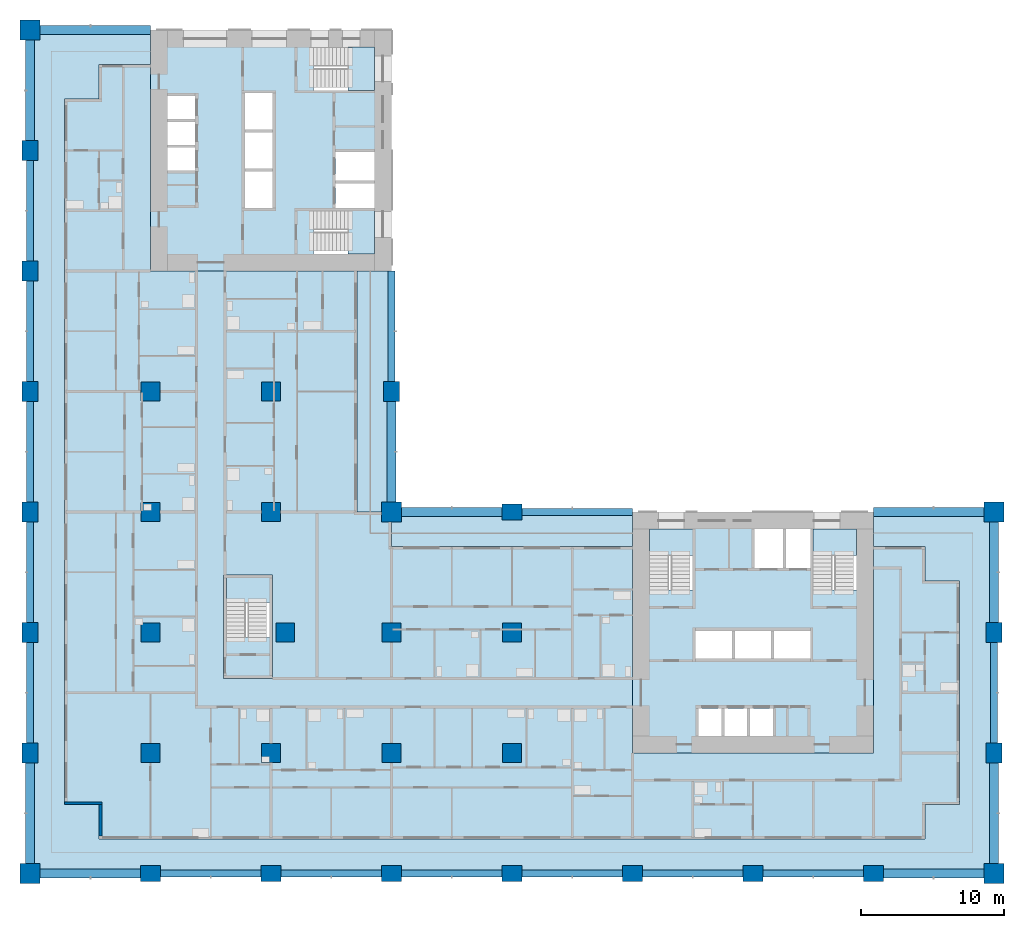
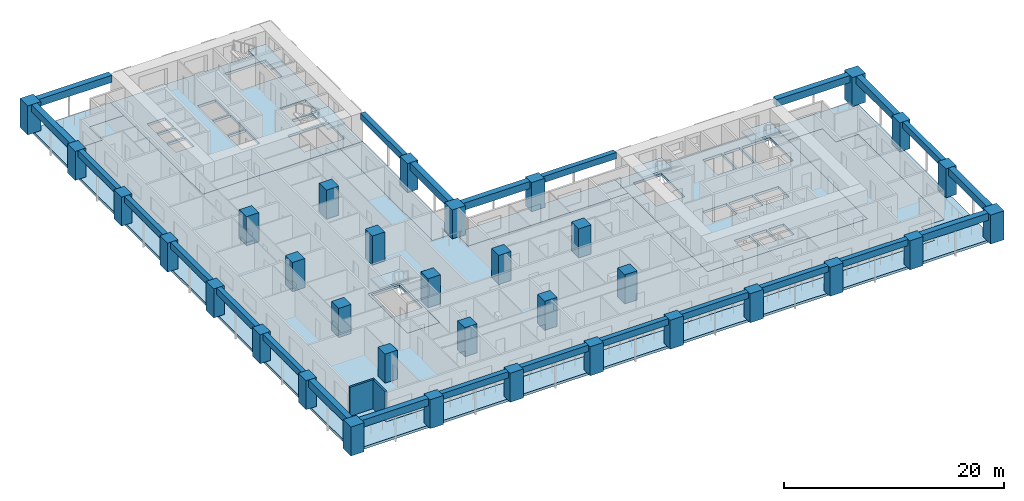
# One storey, part 1 of 19: 34 columns, 24 beams, 12 slabs, 2 walls, 5 elements without a shape of their own.
"""IFC4 building model written with IfcOpenShell, lengths in metres."""

from ifc_helpers import new_model, si_unit, direction, frame, frame_2d, origin, origin_2d, place, context, subcontext, project, spatial, polyline, rectangle, outline, extrude, material, layer, layer_set, material_profile, profile_set, type_object, element, aggregate, save


model = new_model("IFC4")

# Units and contexts
model_context = context("Model", 3, precision=1e-05, world=origin(), true_north=direction((0.0, 1.0)))
body_context = subcontext(model_context, "Body", "Model", "MODEL_VIEW")
ifc_project = project(units=[si_unit("LENGTHUNIT", "METRE"), si_unit("AREAUNIT", "SQUARE_METRE"), si_unit("VOLUMEUNIT", "CUBIC_METRE"), si_unit("PLANEANGLEUNIT", "RADIAN"), si_unit("MASSUNIT", "GRAM", prefix="KILO")], contexts=[model_context])

# Site, building, storey
site_placement = place(None, origin())
site = spatial("IfcSite", under=ifc_project, at=site_placement, CompositionType="ELEMENT")
building_placement = place(site_placement, origin())
building = spatial("IfcBuilding", under=site, at=building_placement, Name="Vermilion Gate Residences", CompositionType="ELEMENT")
storey_placement = place(building_placement, frame((0.0, 0.0, 49.699951171875)))
storey = spatial("IfcBuildingStorey", under=building, at=storey_placement, Name="L11", CompositionType="ELEMENT", Elevation=49.699951171875)

# Columns
ifc_material_1 = material(Name="Concrete C80", Category="concrete")
ifc_material_profile_1 = material_profile(ifc_material_1, rectangle(XDim=1.300048828125, YDim=1.300048828125, at=origin_2d()), Name="RC-1300x1300")
ifc_profile_set_1 = profile_set([ifc_material_profile_1], Name="Concrete C80")
column_type_1 = type_object("IfcColumnType", Name="RC COLUMN 1300 X 1300 C80", PredefinedType="COLUMN", material=ifc_profile_set_1)
for number, where, z_axis, x_axis, name in (
    (1, (8.39990234375, 8.39990234375, 0.0), (0.0, 0.0, 1.0), (1.0, 0.0, 0.0), "Column 2-B L11"),
    (2, (8.39990234375, 16.800048828125, 0.0), (0.0, 0.0, 1.0), (1.0, 0.0, 0.0), "Column 2-C L11"),
    (3, (8.39990234375, 25.199951171875, 0.0), (0.0, 0.0, 1.0), (1.0, 0.0, 0.0), "Column 2-D L11"),
    (4, (8.39990234375, 33.60009765625, 0.0), (0.0, 0.0, 1.0), (1.0, 0.0, 0.0), "Column 2-E L11"),
    (5, (16.800048828125, 8.39990234375, 0.0), (0.0, 0.0, 1.0), (1.0, 0.0, 0.0), "Column 3-B L11"),
    (6, (17.800048828125, 16.800048828125, 0.0), (0.0, 0.0, 1.0), (1.0, 0.0, 0.0), "Column 3-C L11"),
    (7, (16.800048828125, 25.199951171875, 0.0), (0.0, 0.0, 1.0), (1.0, 0.0, 0.0), "Column 3-D L11"),
    (8, (16.800048828125, 33.60009765625, 0.0), (0.0, 0.0, 1.0), (1.0, 0.0, 0.0), "Column 3-E L11"),
    (9, (25.199951171875, 8.39990234375, 0.0), (0.0, 0.0, 1.0), (1.0, 0.0, 0.0), "Column 4-B L11"),
    (10, (25.199951171875, 16.800048828125, 0.0), (0.0, 0.0, 1.0), (1.0, 0.0, 0.0), "Column 4-C L11"),
    (11, (33.60009765625, 8.39990234375, 0.0), (0.0, 0.0, 1.0), (1.0, 0.0, 0.0), "Column 5-B L11"),
    (12, (33.60009765625, 16.800048828125, 0.0), (0.0, 0.0, 1.0), (1.0, 0.0, 0.0), "Column 5-C L11"),
):
    element("IfcColumn", number, at=place(storey_placement, frame(where, z_axis=z_axis, x_axis=x_axis)), inside=storey, type_object=column_type_1, Name=name, PredefinedType="COLUMN", context=body_context, shape_type="SweptSolid", body=[
        extrude(rectangle(XDim=1.300048828125, YDim=1.300048828125, at=origin_2d()), origin(), (0.0, 0.0, 1.0), 3.219970703125),
    ])
ifc_material_2 = material(Name="Concrete C80", Category="concrete")
ifc_material_profile_2 = material_profile(ifc_material_2, rectangle(XDim=1.39990234375, YDim=1.10009765625, at=origin_2d()), Name="RC-1400x1100")
ifc_profile_set_2 = profile_set([ifc_material_profile_2], Name="Concrete C80")
column_type_2 = type_object("IfcColumnType", Name="RC COLUMN 1400 X 1100 C80", PredefinedType="COLUMN", material=ifc_profile_set_2)
for number, where, z_axis, x_axis, name in (
    (13, (0.0, 8.39990234375, 0.0), (0.0, 0.0, 1.0), (0.0, 1.0, 0.0), "Column 1-B L11"),
    (14, (0.0, 16.800048828125, 0.0), (0.0, 0.0, 1.0), (0.0, 1.0, 0.0), "Column 1-C L11"),
    (15, (0.0, 25.199951171875, 0.0), (0.0, 0.0, 1.0), (0.0, 1.0, 0.0), "Column 1-D L11"),
    (16, (0.0, 33.60009765625, 0.0), (0.0, 0.0, 1.0), (0.0, 1.0, 0.0), "Column 1-E L11"),
    (17, (0.0, 42.0, 0.0), (0.0, 0.0, 1.0), (0.0, 1.0, 0.0), "Column 1-F L11"),
    (18, (0.0, 50.39990234375, 0.0), (0.0, 0.0, 1.0), (0.0, 1.0, 0.0), "Column 1-G L11"),
    (19, (8.39990234375, 0.0, 0.0), (0.0, 0.0, 1.0), (1.0, 0.0, 0.0), "Column 2-A L11"),
    (20, (16.800048828125, 0.0, 0.0), (0.0, 0.0, 1.0), (1.0, 0.0, 0.0), "Column 3-A L11"),
    (21, (25.199951171875, 0.0, 0.0), (0.0, 0.0, 1.0), (1.0, 0.0, 0.0), "Column 4-A L11"),
    (22, (25.199951171875, 33.60009765625, 0.0), (0.0, 0.0, 1.0), (0.0, 1.0, 0.0), "Column 4-E L11"),
    (23, (33.60009765625, 0.0, 0.0), (0.0, 0.0, 1.0), (1.0, 0.0, 0.0), "Column 5-A L11"),
    (24, (33.60009765625, 25.199951171875, 0.0), (0.0, 0.0, 1.0), (1.0, 0.0, 0.0), "Column 5-D L11"),
    (25, (42.0, 0.0, 0.0), (0.0, 0.0, 1.0), (1.0, 0.0, 0.0), "Column 6-A L11"),
    (26, (50.39990234375, 0.0, 0.0), (0.0, 0.0, 1.0), (1.0, 0.0, 0.0), "Column 7-A L11"),
    (27, (58.800048828125, 0.0, 0.0), (0.0, 0.0, 1.0), (1.0, 0.0, 0.0), "Column 8-A L11"),
    (28, (67.199951171875, 8.39990234375, 0.0), (0.0, 0.0, 1.0), (0.0, 1.0, 0.0), "Column 9-B L11"),
    (29, (67.199951171875, 16.800048828125, 0.0), (0.0, 0.0, 1.0), (0.0, 1.0, 0.0), "Column 9-C L11"),
):
    element("IfcColumn", number, at=place(storey_placement, frame(where, z_axis=z_axis, x_axis=x_axis)), inside=storey, type_object=column_type_2, Name=name, PredefinedType="COLUMN", context=body_context, shape_type="SweptSolid", body=[
        extrude(rectangle(XDim=1.39990234375, YDim=1.10009765625, at=origin_2d()), origin(), (0.0, 0.0, 1.0), 3.219970703125),
    ])
ifc_material_3 = material(Name="Concrete C80", Category="concrete")
ifc_material_profile_3 = material_profile(ifc_material_3, rectangle(XDim=1.39990234375, YDim=1.39990234375, at=origin_2d()), Name="RC-1400x1400")
ifc_profile_set_3 = profile_set([ifc_material_profile_3], Name="Concrete C80")
column_type_3 = type_object("IfcColumnType", Name="RC COLUMN 1400 X 1400 C80", PredefinedType="COLUMN", material=ifc_profile_set_3)
for number, where, z_axis, x_axis, name in (
    (30, (0.0, 0.0, 0.0), (0.0, 0.0, 1.0), (1.0, 0.0, 0.0), "Column 1-A L11"),
    (31, (0.0, 58.800048828125, 0.0), (0.0, 0.0, 1.0), (1.0, 0.0, 0.0), "Column 1-H L11"),
    (32, (25.199951171875, 25.199951171875, 0.0), (0.0, 0.0, 1.0), (1.0, 0.0, 0.0), "Column 4-D L11"),
    (33, (67.199951171875, 0.0, 0.0), (0.0, 0.0, 1.0), (1.0, 0.0, 0.0), "Column 9-A L11"),
    (34, (67.199951171875, 25.199951171875, 0.0), (0.0, 0.0, 1.0), (1.0, 0.0, 0.0), "Column 9-D L11"),
):
    element("IfcColumn", number, at=place(storey_placement, frame(where, z_axis=z_axis, x_axis=x_axis)), inside=storey, type_object=column_type_3, Name=name, PredefinedType="COLUMN", context=body_context, shape_type="SweptSolid", body=[
        extrude(rectangle(XDim=1.39990234375, YDim=1.39990234375, at=origin_2d()), origin(), (0.0, 0.0, 1.0), 3.219970703125),
    ])

# Beams
ifc_material_4 = material(Name="Concrete C60 red-oxide pigmented", Category="concrete")
ifc_material_profile_4 = material_profile(ifc_material_4, rectangle(XDim=0.60009765625, YDim=0.800048828125, at=origin_2d()), Name="RC-600x800")
ifc_profile_set_4 = profile_set([ifc_material_profile_4], Name="Concrete C60 red-oxide pigmented")
beam_type_1 = type_object("IfcBeamType", Name="RC CORNER EDGE BEAM 600 X 800 C60", PredefinedType="BEAM", material=ifc_profile_set_4)
for number, where, z_axis, x_axis, name in (
    (35, (0.699951171875, 0.0, 2.820068359375), (1.0, 0.0, 0.0), (0.0, 1.0, 0.0), "Corner edge beam L11 1"),
    (36, (0.0, 0.699951171875, 2.820068359375), (0.0, 1.0, 0.0), (-1.0, 0.0, 0.0), "Corner edge beam L11 2"),
):
    element("IfcBeam", number, at=place(storey_placement, frame(where, z_axis=z_axis, x_axis=x_axis)), inside=storey, type_object=beam_type_1, Name=name, PredefinedType="BEAM", context=body_context, shape_type="SweptSolid", body=[
        extrude(rectangle(XDim=0.60009765625, YDim=0.800048828125, at=origin_2d()), origin(), (0.0, 0.0, 1.0), 7.0),
    ])
beam_1_placement = place(storey_placement, frame((0.699951171875, 58.800048828125, 2.820068359375), z_axis=(1.0, 0.0, 0.0), x_axis=(0.0, 1.0, 0.0)))
element("IfcBeam", 37, at=beam_1_placement, inside=storey, type_object=beam_type_1, Name="Corner edge beam L11 8", PredefinedType="BEAM", context=body_context, shape_type="SweptSolid", body=[
    extrude(rectangle(XDim=0.60009765625, YDim=0.800048828125, at=origin_2d()), origin(), (0.0, 0.0, 1.0), 7.699951171875),
])
for number, where, z_axis, x_axis, name in (
    (38, (0.0, 51.10009765625, 2.820068359375), (0.0, 1.0, 0.0), (-1.0, 0.0, 0.0), "Corner edge beam L11 9"),
    (39, (25.199951171875, 25.89990234375, 2.820068359375), (0.0, 1.0, 0.0), (-1.0, 0.0, 0.0), "Corner edge beam L11 12"),
    (40, (25.89990234375, 25.199951171875, 2.820068359375), (1.0, 0.0, 0.0), (0.0, 1.0, 0.0), "Corner edge beam L11 15"),
    (41, (59.5, 0.0, 2.820068359375), (1.0, 0.0, 0.0), (0.0, 1.0, 0.0), "Corner edge beam L11 20"),
    (42, (67.199951171875, 0.699951171875, 2.820068359375), (0.0, 1.0, 0.0), (-1.0, 0.0, 0.0), "Corner edge beam L11 21"),
    (43, (67.199951171875, 17.5, 2.820068359375), (0.0, 1.0, 0.0), (-1.0, 0.0, 0.0), "Corner edge beam L11 23"),
):
    element("IfcBeam", number, at=place(storey_placement, frame(where, z_axis=z_axis, x_axis=x_axis)), inside=storey, type_object=beam_type_1, Name=name, PredefinedType="BEAM", context=body_context, shape_type="SweptSolid", body=[
        extrude(rectangle(XDim=0.60009765625, YDim=0.800048828125, at=origin_2d()), origin(), (0.0, 0.0, 1.0), 7.0),
    ])
beam_2_placement = place(storey_placement, frame((58.800048828125, 25.199951171875, 2.820068359375), z_axis=(1.0, 0.0, 0.0), x_axis=(0.0, 1.0, 0.0)))
element("IfcBeam", 44, at=beam_2_placement, inside=storey, type_object=beam_type_1, Name="Corner edge beam L11 24", PredefinedType="BEAM", context=body_context, shape_type="SweptSolid", body=[
    extrude(rectangle(XDim=0.60009765625, YDim=0.800048828125, at=origin_2d()), origin(), (0.0, 0.0, 1.0), 7.699951171875),
])
ifc_material_5 = material(Name="Concrete C60 red-oxide pigmented", Category="concrete")
ifc_material_profile_5 = material_profile(ifc_material_5, rectangle(XDim=0.5, YDim=0.699951171875, at=origin_2d()), Name="RC-500x700")
ifc_profile_set_5 = profile_set([ifc_material_profile_5], Name="Concrete C60 red-oxide pigmented")
beam_type_2 = type_object("IfcBeamType", Name="RC EDGE BEAM 500 X 700 C60", PredefinedType="BEAM", material=ifc_profile_set_5)
for number, where, z_axis, x_axis, name in (
    (45, (0.0, 9.10009765625, 2.8701171875), (0.0, 1.0, 0.0), (-1.0, 0.0, 0.0), "Edge beam L11 3"),
    (46, (0.0, 17.5, 2.8701171875), (0.0, 1.0, 0.0), (-1.0, 0.0, 0.0), "Edge beam L11 4"),
    (47, (0.0, 25.89990234375, 2.8701171875), (0.0, 1.0, 0.0), (-1.0, 0.0, 0.0), "Edge beam L11 5"),
    (48, (0.0, 34.300048828125, 2.8701171875), (0.0, 1.0, 0.0), (-1.0, 0.0, 0.0), "Edge beam L11 6"),
    (49, (0.0, 42.699951171875, 2.8701171875), (0.0, 1.0, 0.0), (-1.0, 0.0, 0.0), "Edge beam L11 7"),
    (50, (9.10009765625, 0.0, 2.8701171875), (1.0, 0.0, 0.0), (0.0, 1.0, 0.0), "Edge beam L11 10"),
    (51, (17.5, 0.0, 2.8701171875), (1.0, 0.0, 0.0), (0.0, 1.0, 0.0), "Edge beam L11 11"),
):
    element("IfcBeam", number, at=place(storey_placement, frame(where, z_axis=z_axis, x_axis=x_axis)), inside=storey, type_object=beam_type_2, Name=name, PredefinedType="BEAM", context=body_context, shape_type="SweptSolid", body=[
        extrude(rectangle(XDim=0.5, YDim=0.699951171875, at=origin_2d()), origin(), (0.0, 0.0, 1.0), 7.0),
    ])
beam_3_placement = place(storey_placement, frame((25.199951171875, 34.300048828125, 2.8701171875), z_axis=(0.0, 1.0, 0.0), x_axis=(-1.0, 0.0, 0.0)))
element("IfcBeam", 52, at=beam_3_placement, inside=storey, type_object=beam_type_2, Name="Edge beam L11 13", PredefinedType="BEAM", context=body_context, shape_type="SweptSolid", body=[
    extrude(rectangle(XDim=0.5, YDim=0.699951171875, at=origin_2d()), origin(), (0.0, 0.0, 1.0), 7.699951171875),
])
for number, where, z_axis, x_axis, name in (
    (53, (25.89990234375, 0.0, 2.8701171875), (1.0, 0.0, 0.0), (0.0, 1.0, 0.0), "Edge beam L11 14"),
    (54, (34.300048828125, 0.0, 2.8701171875), (1.0, 0.0, 0.0), (0.0, 1.0, 0.0), "Edge beam L11 16"),
):
    element("IfcBeam", number, at=place(storey_placement, frame(where, z_axis=z_axis, x_axis=x_axis)), inside=storey, type_object=beam_type_2, Name=name, PredefinedType="BEAM", context=body_context, shape_type="SweptSolid", body=[
        extrude(rectangle(XDim=0.5, YDim=0.699951171875, at=origin_2d()), origin(), (0.0, 0.0, 1.0), 7.0),
    ])
beam_4_placement = place(storey_placement, frame((34.300048828125, 25.199951171875, 2.8701171875), z_axis=(1.0, 0.0, 0.0), x_axis=(0.0, 1.0, 0.0)))
element("IfcBeam", 55, at=beam_4_placement, inside=storey, type_object=beam_type_2, Name="Edge beam L11 17", PredefinedType="BEAM", context=body_context, shape_type="SweptSolid", body=[
    extrude(rectangle(XDim=0.5, YDim=0.699951171875, at=origin_2d()), origin(), (0.0, 0.0, 1.0), 7.699951171875),
])
for number, where, z_axis, x_axis, name in (
    (56, (42.699951171875, 0.0, 2.8701171875), (1.0, 0.0, 0.0), (0.0, 1.0, 0.0), "Edge beam L11 18"),
    (57, (51.10009765625, 0.0, 2.8701171875), (1.0, 0.0, 0.0), (0.0, 1.0, 0.0), "Edge beam L11 19"),
    (58, (67.199951171875, 9.10009765625, 2.8701171875), (0.0, 1.0, 0.0), (-1.0, 0.0, 0.0), "Edge beam L11 22"),
):
    element("IfcBeam", number, at=place(storey_placement, frame(where, z_axis=z_axis, x_axis=x_axis)), inside=storey, type_object=beam_type_2, Name=name, PredefinedType="BEAM", context=body_context, shape_type="SweptSolid", body=[
        extrude(rectangle(XDim=0.5, YDim=0.699951171875, at=origin_2d()), origin(), (0.0, 0.0, 1.0), 7.0),
    ])

# Slabs
ifc_material_6 = material(Name="Concrete C50", Category="concrete")
ifc_layer_1 = layer(ifc_material_6, 0.280029296875)
ifc_layer_set_1 = layer_set([ifc_layer_1], Name="RC CORE FLOOR SLAB 280 C50")
slab_type_1 = type_object("IfcSlabType", Name="RC CORE FLOOR SLAB 280 C50", PredefinedType="FLOOR", material=ifc_layer_set_1)
slab_1_placement = place(storey_placement, frame((0.0, 0.0, -0.280029296875)))
element("IfcSlab", 59, at=slab_1_placement, inside=storey, type_object=slab_type_1, Name="Core floor slab A11", PredefinedType="FLOOR", context=body_context, shape_type="SweptSolid", body=[
    extrude(outline(polyline([(42.0, 8.39990234375), (58.800048828125, 8.39990234375), (58.800048828125, 25.199951171875), (42.0, 25.199951171875), (42.0, 8.39990234375)]), holes=[polyline([(46.60009765625, 11.5), (48.199951171875, 11.5), (48.199951171875, 9.60009765625), (46.60009765625, 9.60009765625), (46.60009765625, 11.5)]), polyline([(48.39990234375, 11.5), (50.0, 11.5), (50.0, 9.60009765625), (48.39990234375, 9.60009765625), (48.39990234375, 11.5)]), polyline([(50.199951171875, 11.5), (51.800048828125, 11.5), (51.800048828125, 9.60009765625), (50.199951171875, 9.60009765625), (50.199951171875, 11.5)]), polyline([(48.933349609375, 16.89990234375), (48.933349609375, 15.0), (46.39990234375, 15.0), (46.39990234375, 16.89990234375), (48.933349609375, 16.89990234375)]), polyline([(51.666748046875, 16.89990234375), (51.666748046875, 15.0), (49.13330078125, 15.0), (49.13330078125, 16.89990234375), (51.666748046875, 16.89990234375)]), polyline([(51.86669921875, 16.89990234375), (54.39990234375, 16.89990234375), (54.39990234375, 15.0), (51.86669921875, 15.0), (51.86669921875, 16.89990234375)]), polyline([(43.199951171875, 24.0), (46.199951171875, 24.0), (46.199951171875, 19.75), (43.199951171875, 19.75), (43.199951171875, 24.0)]), polyline([(54.60009765625, 24.0), (57.60009765625, 24.0), (57.60009765625, 19.75), (54.60009765625, 19.75), (54.60009765625, 24.0)]), polyline([(52.5, 24.0), (52.5, 21.300048828125), (50.5, 21.300048828125), (50.5, 24.0), (52.5, 24.0)]), polyline([(54.39990234375, 24.0), (54.39990234375, 21.300048828125), (52.699951171875, 21.300048828125), (52.699951171875, 24.0), (54.39990234375, 24.0)])]), origin(), (0.0, 0.0, 1.0), 0.280029296875),
])
slab_2_placement = place(storey_placement, frame((0.0, 0.0, -0.280029296875)))
element("IfcSlab", 60, at=slab_2_placement, inside=storey, type_object=slab_type_1, Name="Core floor slab B11", PredefinedType="FLOOR", context=body_context, shape_type="SweptSolid", body=[
    extrude(outline(polyline([(8.39990234375, 42.0), (25.199951171875, 42.0), (25.199951171875, 58.800048828125), (8.39990234375, 58.800048828125), (8.39990234375, 42.0)]), holes=[polyline([(19.75, 46.199951171875), (24.0, 46.199951171875), (24.0, 43.199951171875), (19.75, 43.199951171875), (19.75, 46.199951171875)]), polyline([(21.300048828125, 48.10009765625), (24.0, 48.10009765625), (24.0, 46.39990234375), (21.300048828125, 46.39990234375), (21.300048828125, 48.10009765625)]), polyline([(15.0, 48.933349609375), (16.89990234375, 48.933349609375), (16.89990234375, 46.39990234375), (15.0, 46.39990234375), (15.0, 48.933349609375)]), polyline([(24.0, 50.300048828125), (24.0, 48.300048828125), (21.300048828125, 48.300048828125), (21.300048828125, 50.300048828125), (24.0, 50.300048828125)]), polyline([(11.5, 50.60009765625), (11.5, 49.0), (9.60009765625, 49.0), (9.60009765625, 50.60009765625), (11.5, 50.60009765625)]), polyline([(15.0, 51.666748046875), (16.89990234375, 51.666748046875), (16.89990234375, 49.13330078125), (15.0, 49.13330078125), (15.0, 51.666748046875)]), polyline([(9.60009765625, 52.39990234375), (11.5, 52.39990234375), (11.5, 50.800048828125), (9.60009765625, 50.800048828125), (9.60009765625, 52.39990234375)]), polyline([(15.0, 54.39990234375), (16.89990234375, 54.39990234375), (16.89990234375, 51.86669921875), (15.0, 51.86669921875), (15.0, 54.39990234375)]), polyline([(11.5, 54.199951171875), (11.5, 52.60009765625), (9.60009765625, 52.60009765625), (9.60009765625, 54.199951171875), (11.5, 54.199951171875)]), polyline([(24.0, 57.60009765625), (24.0, 54.60009765625), (19.75, 54.60009765625), (19.75, 57.60009765625), (24.0, 57.60009765625)])]), origin(), (0.0, 0.0, 1.0), 0.280029296875),
])
slab_3_placement = place(storey_placement, frame((0.0, 0.0, -0.280029296875)))
element("IfcSlab", 61, at=slab_3_placement, inside=storey, type_object=slab_type_1, Name="Apex stair floor slab 11", PredefinedType="FLOOR", context=body_context, shape_type="SweptSolid", body=[
    extrude(outline(polyline([(13.5, 13.60009765625), (16.89990234375, 13.60009765625), (16.89990234375, 20.800048828125), (13.5, 20.800048828125), (13.5, 13.60009765625)]), holes=[polyline([(16.699951171875, 20.60009765625), (16.699951171875, 16.449951171875), (13.699951171875, 16.449951171875), (13.699951171875, 20.60009765625), (16.699951171875, 20.60009765625)])]), origin(), (0.0, 0.0, 1.0), 0.280029296875),
])
ifc_material_7 = material(Name="Concrete C50", Category="concrete")
ifc_layer_2 = layer(ifc_material_7, 0.280029296875)
ifc_layer_set_2 = layer_set([ifc_layer_2], Name="RC FLAT PLATE 280 C50")
slab_type_2 = type_object("IfcSlabType", Name="RC FLAT PLATE 280 C50", PredefinedType="FLOOR", material=ifc_layer_set_2)
slab_4_placement = place(storey_placement, frame((0.0, 0.0, -0.280029296875)))
element("IfcSlab", 62, at=slab_4_placement, inside=storey, type_object=slab_type_2, Name="Floor slab L11", PredefinedType="FLOOR", context=body_context, shape_type="SweptSolid", body=[
    extrude(outline(polyline([(22.800048828125, 25.199951171875), (22.800048828125, 42.0), (8.39990234375, 42.0), (8.39990234375, 56.39990234375), (4.800048828125, 56.39990234375), (4.800048828125, 54.0), (2.39990234375, 54.0), (2.39990234375, 4.800048828125), (4.800048828125, 4.800048828125), (4.800048828125, 2.39990234375), (62.39990234375, 2.39990234375), (62.39990234375, 4.800048828125), (64.800048828125, 4.800048828125), (64.800048828125, 20.39990234375), (62.39990234375, 20.39990234375), (62.39990234375, 22.800048828125), (58.800048828125, 22.800048828125), (58.800048828125, 8.39990234375), (42.0, 8.39990234375), (42.0, 22.800048828125), (25.199951171875, 22.800048828125), (25.199951171875, 25.199951171875), (22.800048828125, 25.199951171875)]), holes=[polyline([(13.5, 13.60009765625), (13.5, 20.800048828125), (16.89990234375, 20.800048828125), (16.89990234375, 13.60009765625), (13.5, 13.60009765625)])]), origin(), (0.0, 0.0, 1.0), 0.280029296875),
])
ifc_material_8 = material(Name="Concrete C50 red-oxide pigmented", Category="concrete")
ifc_layer_3 = layer(ifc_material_8, 0.280029296875)
ifc_layer_set_3 = layer_set([ifc_layer_3], Name="RC LOGGIA SLAB 280 C50")
slab_type_3 = type_object("IfcSlabType", Name="RC LOGGIA SLAB 280 C50", PredefinedType="FLOOR", material=ifc_layer_set_3)
slab_5_placement = place(storey_placement, frame((0.0, 0.0, -0.280029296875)))
element("IfcSlab", 63, at=slab_5_placement, inside=storey, type_object=slab_type_3, Name="Loggia slab L11", PredefinedType="FLOOR", context=body_context, shape_type="SweptSolid", body=[
    extrude(outline(polyline([(0.0, 58.800048828125), (0.0, 0.0), (67.199951171875, 0.0), (67.199951171875, 25.199951171875), (58.800048828125, 25.199951171875), (58.800048828125, 22.800048828125), (62.39990234375, 22.800048828125), (62.39990234375, 20.39990234375), (64.800048828125, 20.39990234375), (64.800048828125, 4.800048828125), (62.39990234375, 4.800048828125), (62.39990234375, 2.39990234375), (4.800048828125, 2.39990234375), (4.800048828125, 4.800048828125), (2.39990234375, 4.800048828125), (2.39990234375, 54.0), (4.800048828125, 54.0), (4.800048828125, 56.39990234375), (8.39990234375, 56.39990234375), (8.39990234375, 58.800048828125), (0.0, 58.800048828125)])), origin(), (0.0, 0.0, 1.0), 0.280029296875),
])
slab_6_placement = place(storey_placement, frame((0.0, 0.0, -0.280029296875)))
element("IfcSlab", 64, at=slab_6_placement, inside=storey, type_object=slab_type_3, Name="Loggia slab L11", PredefinedType="FLOOR", context=body_context, shape_type="SweptSolid", body=[
    extrude(outline(polyline([(25.199951171875, 22.800048828125), (42.0, 22.800048828125), (42.0, 25.199951171875), (25.199951171875, 25.199951171875), (25.199951171875, 22.800048828125)])), origin(), (0.0, 0.0, 1.0), 0.280029296875),
])
slab_7_placement = place(storey_placement, frame((0.0, 0.0, -0.280029296875)))
element("IfcSlab", 65, at=slab_7_placement, inside=storey, type_object=slab_type_3, Name="Loggia slab L11", PredefinedType="FLOOR", context=body_context, shape_type="SweptSolid", body=[
    extrude(outline(polyline([(22.800048828125, 42.0), (22.800048828125, 25.199951171875), (25.199951171875, 25.199951171875), (25.199951171875, 42.0), (22.800048828125, 42.0)])), origin(), (0.0, 0.0, 1.0), 0.280029296875),
])

# Stair, slab
ifc_material_9 = material(Name="Concrete C50", Category="concrete")
stair_type = type_object("IfcStairType", Name="SPECIAL ESCAPE STAIR 1300", PredefinedType="HALF_TURN_STAIR", material=ifc_material_9)
stair_1_placement = place(storey_placement, origin())
stair_1 = element("IfcStair", 66, at=stair_1_placement, inside=storey, type_object=stair_type, Name="Special escape stair STA1-11", PredefinedType="HALF_TURN_STAIR")
ifc_material_10 = material(Name="Concrete C50", Category="concrete")
ifc_layer_4 = layer(ifc_material_10, 0.199951171875)
ifc_layer_set_4 = layer_set([ifc_layer_4], Name="STAIR LANDING 200 C50")
slab_type_4 = type_object("IfcSlabType", Name="STAIR LANDING 200 C50", PredefinedType="LANDING", material=ifc_layer_set_4)
slab_8_placement = place(storey_placement, frame((0.0, 0.0, 1.550048828125)))
slab_8 = element("IfcSlab", 67, at=slab_8_placement, type_object=slab_type_4, Name="STA1-11 landing 1", PredefinedType="LANDING", context=body_context, shape_type="SweptSolid", body=[
    extrude(outline(polyline([(46.219970703125, 22.179931640625), (46.219970703125, 24.02001953125), (43.179931640625, 24.02001953125), (43.179931640625, 22.179931640625), (46.219970703125, 22.179931640625)])), origin(), (0.0, 0.0, 1.0), 0.199951171875),
])
aggregate(stair_1, [slab_8])

stair_2_placement = place(storey_placement, origin())
stair_2 = element("IfcStair", 68, at=stair_2_placement, inside=storey, type_object=stair_type, Name="Special escape stair STA2-11", PredefinedType="HALF_TURN_STAIR")
slab_9_placement = place(storey_placement, frame((0.0, 0.0, 1.550048828125)))
slab_9 = element("IfcSlab", 69, at=slab_9_placement, type_object=slab_type_4, Name="STA2-11 landing 1", PredefinedType="LANDING", context=body_context, shape_type="SweptSolid", body=[
    extrude(outline(polyline([(57.6201171875, 22.179931640625), (57.6201171875, 24.02001953125), (54.580078125, 24.02001953125), (54.580078125, 22.179931640625), (57.6201171875, 22.179931640625)])), origin(), (0.0, 0.0, 1.0), 0.199951171875),
])
aggregate(stair_2, [slab_9])

stair_3_placement = place(storey_placement, origin())
stair_3 = element("IfcStair", 70, at=stair_3_placement, inside=storey, type_object=stair_type, Name="Special escape stair STB1-11", PredefinedType="HALF_TURN_STAIR")
slab_10_placement = place(storey_placement, frame((0.0, 0.0, 1.550048828125)))
slab_10 = element("IfcSlab", 71, at=slab_10_placement, type_object=slab_type_4, Name="STB1-11 landing 1", PredefinedType="LANDING", context=body_context, shape_type="SweptSolid", body=[
    extrude(outline(polyline([(24.02001953125, 54.580078125), (24.02001953125, 57.6201171875), (22.179931640625, 57.6201171875), (22.179931640625, 54.580078125), (24.02001953125, 54.580078125)])), origin(), (0.0, 0.0, 1.0), 0.199951171875),
])
aggregate(stair_3, [slab_10])

stair_4_placement = place(storey_placement, origin())
stair_4 = element("IfcStair", 72, at=stair_4_placement, inside=storey, type_object=stair_type, Name="Special escape stair STB2-11", PredefinedType="HALF_TURN_STAIR")
slab_11_placement = place(storey_placement, frame((0.0, 0.0, 1.550048828125)))
slab_11 = element("IfcSlab", 73, at=slab_11_placement, type_object=slab_type_4, Name="STB2-11 landing 1", PredefinedType="LANDING", context=body_context, shape_type="SweptSolid", body=[
    extrude(outline(polyline([(24.02001953125, 43.179931640625), (24.02001953125, 46.219970703125), (22.179931640625, 46.219970703125), (22.179931640625, 43.179931640625), (24.02001953125, 43.179931640625)])), origin(), (0.0, 0.0, 1.0), 0.199951171875),
])
aggregate(stair_4, [slab_11])

stair_5_placement = place(storey_placement, origin())
stair_5 = element("IfcStair", 74, at=stair_5_placement, inside=storey, type_object=stair_type, Name="Special escape stair STC1-11", PredefinedType="HALF_TURN_STAIR")
slab_12_placement = place(storey_placement, frame((0.0, 0.0, 1.550048828125)))
slab_12 = element("IfcSlab", 75, at=slab_12_placement, type_object=slab_type_4, Name="STC1-11 landing 1", PredefinedType="LANDING", context=body_context, shape_type="SweptSolid", body=[
    extrude(outline(polyline([(16.719970703125, 18.8798828125), (16.719970703125, 20.6201171875), (13.679931640625, 20.6201171875), (13.679931640625, 18.8798828125), (16.719970703125, 18.8798828125)])), origin(), (0.0, 0.0, 1.0), 0.199951171875),
])
aggregate(stair_5, [slab_12])

# Walls
ifc_material_11 = material(Name="Insulated steel stud wall with terracotta rainscreen", Category="masonry")
ifc_layer_5 = layer(ifc_material_11, 0.199951171875)
ifc_layer_set_5 = layer_set([ifc_layer_5], Name="EXTERNAL WALL 200 TERRACOTTA RAINSCREEN")
wall_type = type_object("IfcWallType", Name="EXTERNAL WALL 200 TERRACOTTA RAINSCREEN", PredefinedType="SOLIDWALL", material=ifc_layer_set_5)
wall_1_placement = place(storey_placement, frame((2.39990234375, 4.89990234375, 0.0), z_axis=(0.0, 0.0, 1.0), x_axis=(1.0, 0.0, 0.0)))
element("IfcWall", 76, at=wall_1_placement, inside=storey, type_object=wall_type, Name="External wall", PredefinedType="SOLIDWALL", context=body_context, shape_type="SweptSolid", body=[
    extrude(rectangle(XDim=2.60009765625, YDim=0.199951171875, at=frame_2d((1.300048828125, 0.0))), origin(), (0.0, 0.0, 1.0), 3.219970703125),
])
wall_2_placement = place(storey_placement, frame((4.89990234375, 4.800048828125, 0.0), z_axis=(0.0, 0.0, 1.0), x_axis=(0.0, -1.0, 0.0)))
element("IfcWall", 77, at=wall_2_placement, inside=storey, type_object=wall_type, Name="External wall", PredefinedType="SOLIDWALL", context=body_context, shape_type="SweptSolid", body=[
    extrude(rectangle(XDim=2.199951171875, YDim=0.199951171875, at=frame_2d((1.10009765625, 0.0))), origin(), (0.0, 0.0, 1.0), 3.219970703125),
])

save(model, "model.ifc")
